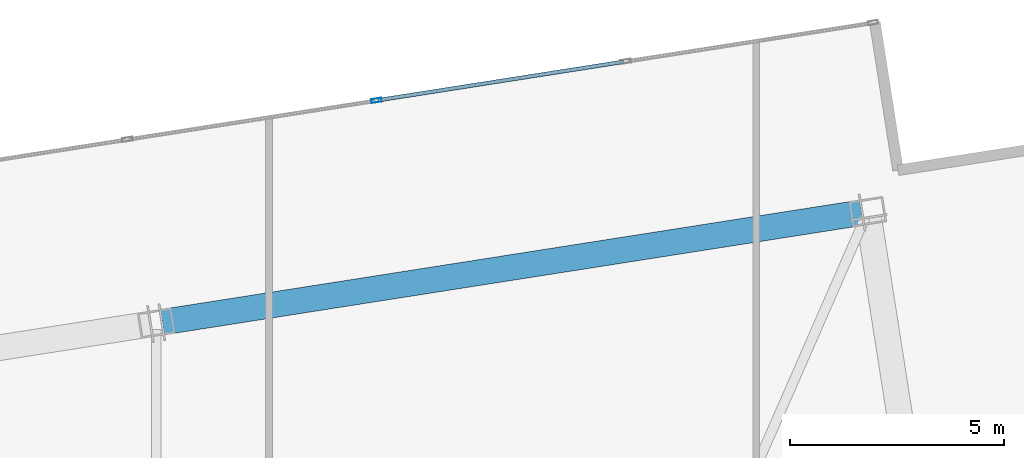
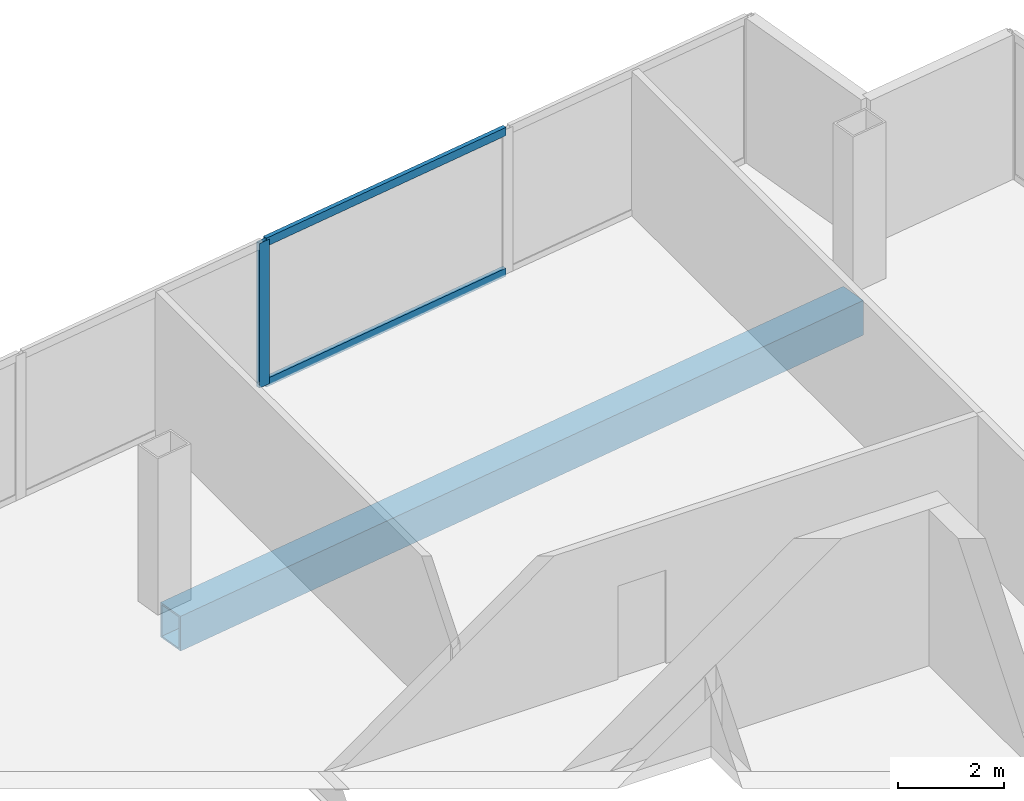
# One storey, part 12 of 17: 3 members, 1 beam, 1 element without a shape of its own.
"""IFC4 building model written with IfcOpenShell, lengths in metres."""

from ifc_helpers import new_model, si_unit, direction, frame, origin, origin_2d, place, context, subcontext, project, spatial, hollow_rectangle, extrude, material, material_profile, profile_set, type_object, element, aggregate, save


model = new_model("IFC4")

# Units and contexts
model_context = context("Model", 3, precision=1e-05, world=origin(), true_north=direction((0.0, 1.0)))
body_context = subcontext(model_context, "Body", "Model", "MODEL_VIEW")
ifc_project = project(units=[si_unit("LENGTHUNIT", "METRE"), si_unit("AREAUNIT", "SQUARE_METRE"), si_unit("VOLUMEUNIT", "CUBIC_METRE"), si_unit("PLANEANGLEUNIT", "RADIAN"), si_unit("MASSUNIT", "GRAM", prefix="KILO")], contexts=[model_context])

# Site, building, storey
site_placement = place(None, origin())
site = spatial("IfcSite", under=ifc_project, at=site_placement, CompositionType="ELEMENT")
building_placement = place(site_placement, origin())
building = spatial("IfcBuilding", under=site, at=building_placement, Name="Haldenkirk Collegiate Tower", CompositionType="ELEMENT")
storey_placement = place(building_placement, frame((0.0, 0.0, 364.199951171875)))
storey = spatial("IfcBuildingStorey", under=building, at=storey_placement, Name="L92", CompositionType="ELEMENT", Elevation=364.199951171875)

# Beam
ifc_material_1 = material(Name="Steel ASTM A572 Grade 50", Category="steel")
ifc_material_profile_1 = material_profile(ifc_material_1, hollow_rectangle(XDim=0.60009765625, YDim=0.800048828125, WallThickness=0.0400390625, at=origin_2d()), Name="BOX800X600X40")
ifc_profile_set_1 = profile_set([ifc_material_profile_1], Name="Steel ASTM A572 Grade 50")
beam_type = type_object("IfcBeamType", Name="BM-SPANDREL-BOX800X600X40", PredefinedType="SPANDREL", material=ifc_profile_set_1)
beam_placement = place(storey_placement, frame((49.861083984375, 45.428466796875, -0.669921875), z_axis=(-0.987958818005, -0.154717077036, 0.0), x_axis=(0.154717077036, -0.987958818005, 0.0)))
element("IfcBeam", 1, at=beam_placement, inside=storey, type_object=beam_type, Name="L92 Crown Ring Frame perimeter girder 3", PredefinedType="SPANDREL", context=body_context, shape_type="SweptSolid", body=[
    extrude(hollow_rectangle(XDim=0.60009765625, YDim=0.800048828125, WallThickness=0.0400390625, at=origin_2d()), origin(), (0.0, 0.0, 1.0), 16.5498046875),
])

# Curtain wall, members
ifc_material_2 = material(Name="Anodised architectural bronze aluminium", Category="aluminium")
curtain_wall_type = type_object("IfcCurtainWallType", Name="CW-SYS6-CROWN", PredefinedType="USERDEFINED", material=ifc_material_2)
curtain_wall_placement = place(storey_placement, origin())
curtain_wall = element("IfcCurtainWall", 2, at=curtain_wall_placement, inside=storey, type_object=curtain_wall_type, Name="L92 Closed crown ring ceramic-fritted bronze screen curtain wall", ObjectType="UNITISED CURTAIN WALL", PredefinedType="USERDEFINED")
ifc_material_profile_2 = material_profile(ifc_material_2, hollow_rectangle(XDim=0.090087890625, YDim=0.239990234375, WallThickness=0.0048828125, at=origin_2d()), Name="CW-MUL-06")
ifc_profile_set_2 = profile_set([ifc_material_profile_2], Name="Anodised architectural bronze aluminium")
member_type_1 = type_object("IfcMemberType", Name="CW-MUL-06", PredefinedType="MULLION", material=ifc_profile_set_2)
member_1_placement = place(storey_placement, frame((38.51806640625, 48.05517578125, 0.0), z_axis=(0.0, 0.0, 1.0), x_axis=(-0.154708982189, 0.987960085646, 0.0)))
member_1 = element("IfcMember", 3, at=member_1_placement, type_object=member_type_1, Name="CW-06 mullion 5", PredefinedType="MULLION", context=body_context, shape_type="SweptSolid", body=[
    extrude(hollow_rectangle(XDim=0.090087890625, YDim=0.239990234375, WallThickness=0.0048828125, at=origin_2d()), origin(), (0.0, 0.0, 1.0), 3.330078125),
])
ifc_material_profile_3 = material_profile(ifc_material_2, hollow_rectangle(XDim=0.090087890625, YDim=0.18994140625, WallThickness=0.0048828125, at=origin_2d()), Name="CW-TRN-06")
ifc_profile_set_3 = profile_set([ifc_material_profile_3], Name="Anodised architectural bronze aluminium")
member_type_2 = type_object("IfcMemberType", Name="CW-TRN-06", PredefinedType="USERDEFINED", material=ifc_profile_set_3)
member_2_placement = place(storey_placement, frame((38.562744140625, 48.06201171875, 0.045166015625), z_axis=(0.987958095237, 0.154721692257, 0.0), x_axis=(-0.154721692257, 0.987958095237, 0.0)))
member_2 = element("IfcMember", 4, at=member_2_placement, type_object=member_type_2, Name="CW-06 transom 5.1", ObjectType="TRANSOM", PredefinedType="USERDEFINED", context=body_context, shape_type="SweptSolid", body=[
    extrude(hollow_rectangle(XDim=0.090087890625, YDim=0.18994140625, WallThickness=0.0048828125, at=origin_2d()), origin(), (0.0, 0.0, 1.0), 5.81005859375),
])
member_3_placement = place(storey_placement, frame((38.562744140625, 48.06201171875, 3.28515625), z_axis=(0.987958095237, 0.154721692257, 0.0), x_axis=(-0.154721692257, 0.987958095237, 0.0)))
member_3 = element("IfcMember", 5, at=member_3_placement, type_object=member_type_2, Name="CW-06 transom 5.2", ObjectType="TRANSOM", PredefinedType="USERDEFINED", context=body_context, shape_type="SweptSolid", body=[
    extrude(hollow_rectangle(XDim=0.090087890625, YDim=0.18994140625, WallThickness=0.0048828125, at=origin_2d()), origin(), (0.0, 0.0, 1.0), 5.81005859375),
])
aggregate(curtain_wall, [member_1, member_2, member_3])

save(model, "model.ifc")
